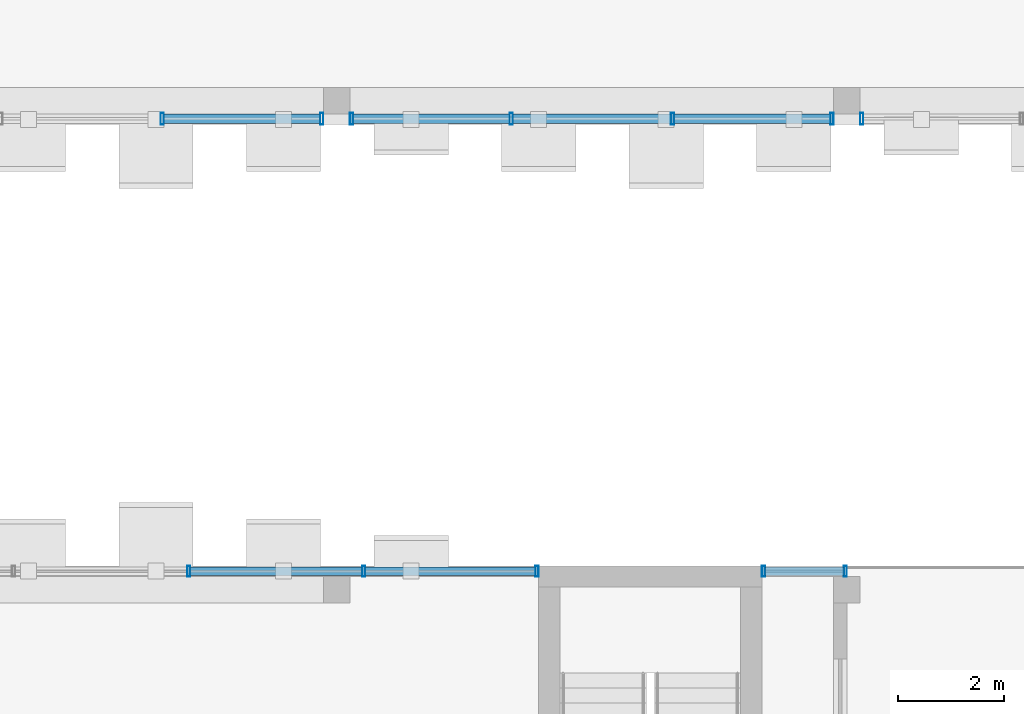
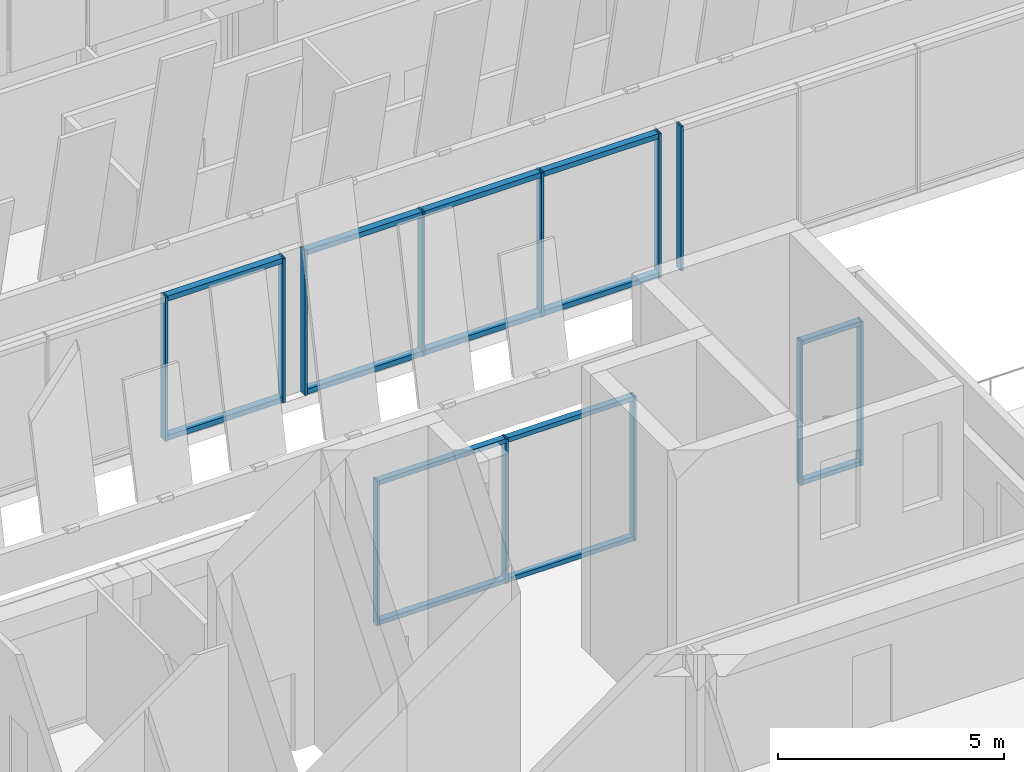
# One storey, part 8 of 26: 26 members, 5 elements without a shape of their own.
"""IFC4 building model written with IfcOpenShell, lengths in metres."""

from ifc_helpers import new_model, si_unit, direction, frame, origin, origin_2d, place, context, subcontext, project, spatial, hollow_rectangle, extrude, material, layer, layer_set, material_profile, profile_set, type_object, element, aggregate, save


model = new_model("IFC4")

# Units and contexts
model_context = context("Model", 3, precision=1e-05, world=origin(), true_north=direction((0.0, 1.0)))
body_context = subcontext(model_context, "Body", "Model", "MODEL_VIEW")
ifc_project = project(units=[si_unit("LENGTHUNIT", "METRE"), si_unit("AREAUNIT", "SQUARE_METRE"), si_unit("VOLUMEUNIT", "CUBIC_METRE"), si_unit("PLANEANGLEUNIT", "RADIAN"), si_unit("MASSUNIT", "GRAM", prefix="KILO")], contexts=[model_context])

# Site, building, storey
site_placement = place(None, origin())
site = spatial("IfcSite", under=ifc_project, at=site_placement, CompositionType="ELEMENT")
building_placement = place(site_placement, origin())
building = spatial("IfcBuilding", under=site, at=building_placement, Name="Nzadi Deep Aquarium and Research Tower", CompositionType="ELEMENT")
storey_placement = place(building_placement, frame((0.0, 0.0, 78.10009765625)))
storey = spatial("IfcBuildingStorey", under=building, at=storey_placement, Name="L16", CompositionType="ELEMENT", Elevation=78.10009765625)

# Curtain wall, members
ifc_material_1 = material(Name="Aluminium unitised frame", Category="aluminium")
ifc_layer_1 = layer(ifc_material_1, 0.199951171875)
ifc_layer_set_1 = layer_set([ifc_layer_1], Name="Aluminium unitised frame")
curtain_wall_type_1 = type_object("IfcCurtainWallType", Name="Curtain wall Unitised 200", PredefinedType="NOTDEFINED", material=ifc_layer_set_1)
curtain_wall_1_placement = place(storey_placement, origin())
curtain_wall_1 = element("IfcCurtainWall", 1, at=curtain_wall_1_placement, inside=storey, type_object=curtain_wall_type_1, Name="Unitised curtain wall blade A north L16", PredefinedType="NOTDEFINED")
ifc_material_2 = material(Name="Aluminium unitised frame", Category="aluminium")
ifc_material_profile_1 = material_profile(ifc_material_2, hollow_rectangle(XDim=0.199951171875, YDim=0.06005859375, WallThickness=0.0048828125, at=origin_2d()))
ifc_profile_set_1 = profile_set([ifc_material_profile_1], Name="Aluminium unitised frame")
member_type_1 = type_object("IfcMemberType", Name="Mullion 60x200 Unitised", PredefinedType="MULLION", material=ifc_profile_set_1)
member_1_placement = place(storey_placement, frame((16.414306640625, 18.75, 0.0), z_axis=(0.0, 0.0, 1.0), x_axis=(0.0, 1.0, 0.0)))
member_1 = element("IfcMember", 2, at=member_1_placement, type_object=member_type_1, Name="CW076 mullion 6", PredefinedType="MULLION", context=body_context, shape_type="SweptSolid", body=[
    extrude(hollow_rectangle(XDim=0.199951171875, YDim=0.06005859375, WallThickness=0.0048828125, at=origin_2d()), origin(), (0.0, 0.0, 1.0), 3.89990234375),
])
member_2_placement = place(storey_placement, frame((19.70703125, 18.75, 0.0), z_axis=(0.0, 0.0, 1.0), x_axis=(0.0, 1.0, 0.0)))
member_2 = element("IfcMember", 3, at=member_2_placement, type_object=member_type_1, Name="CW076 mullion 7", PredefinedType="MULLION", context=body_context, shape_type="SweptSolid", body=[
    extrude(hollow_rectangle(XDim=0.199951171875, YDim=0.06005859375, WallThickness=0.0048828125, at=origin_2d()), origin(), (0.0, 0.0, 1.0), 3.89990234375),
])
member_3_placement = place(storey_placement, frame((22.969970703125, 18.75, 0.0), z_axis=(0.0, 0.0, 1.0), x_axis=(0.0, 1.0, 0.0)))
member_3 = element("IfcMember", 4, at=member_3_placement, type_object=member_type_1, Name="CW076 mullion 8", PredefinedType="MULLION", context=body_context, shape_type="SweptSolid", body=[
    extrude(hollow_rectangle(XDim=0.199951171875, YDim=0.06005859375, WallThickness=0.0048828125, at=origin_2d()), origin(), (0.0, 0.0, 1.0), 3.89990234375),
])

curtain_wall_2_placement = place(storey_placement, origin())
curtain_wall_2 = element("IfcCurtainWall", 5, at=curtain_wall_2_placement, inside=storey, type_object=curtain_wall_type_1, Name="Unitised curtain wall blade A north L16", PredefinedType="NOTDEFINED")
member_4_placement = place(storey_placement, frame((27.22998046875, 18.75, 0.0), z_axis=(0.0, 0.0, 1.0), x_axis=(0.0, 1.0, 0.0)))
member_4 = element("IfcMember", 6, at=member_4_placement, type_object=member_type_1, Name="CW077 mullion 1", PredefinedType="MULLION", context=body_context, shape_type="SweptSolid", body=[
    extrude(hollow_rectangle(XDim=0.199951171875, YDim=0.06005859375, WallThickness=0.0048828125, at=origin_2d()), origin(), (0.0, 0.0, 1.0), 3.89990234375),
])
member_5_placement = place(storey_placement, frame((28.77001953125, 18.75, 0.0), z_axis=(0.0, 0.0, 1.0), x_axis=(0.0, 1.0, 0.0)))
member_5 = element("IfcMember", 7, at=member_5_placement, type_object=member_type_1, Name="CW077 mullion 2", PredefinedType="MULLION", context=body_context, shape_type="SweptSolid", body=[
    extrude(hollow_rectangle(XDim=0.199951171875, YDim=0.06005859375, WallThickness=0.0048828125, at=origin_2d()), origin(), (0.0, 0.0, 1.0), 3.89990234375),
])

ifc_material_3 = material(Name="Aluminium unitised frame deep", Category="aluminium")
ifc_layer_2 = layer(ifc_material_3, 0.22509765625)
ifc_layer_set_2 = layer_set([ifc_layer_2], Name="Aluminium unitised frame deep")
curtain_wall_type_2 = type_object("IfcCurtainWallType", Name="Curtain wall Unitised Deep 225", PredefinedType="NOTDEFINED", material=ifc_layer_set_2)
curtain_wall_3_placement = place(storey_placement, origin())
curtain_wall_3 = element("IfcCurtainWall", 8, at=curtain_wall_3_placement, inside=storey, type_object=curtain_wall_type_2, Name="Unitised curtain wall blade B south L16", PredefinedType="NOTDEFINED")
ifc_material_4 = material(Name="Aluminium unitised frame deep", Category="aluminium")
ifc_material_profile_2 = material_profile(ifc_material_4, hollow_rectangle(XDim=0.22509765625, YDim=0.06005859375, WallThickness=0.0048828125, at=origin_2d()))
ifc_profile_set_2 = profile_set([ifc_material_profile_2], Name="Aluminium unitised frame deep")
member_type_2 = type_object("IfcMemberType", Name="Mullion 60x225 Unitised Deep", PredefinedType="MULLION", material=ifc_profile_set_2)
member_6_placement = place(storey_placement, frame((15.916748046875, 27.262451171875, 0.0), z_axis=(0.0, 0.0, 1.0), x_axis=(0.0, 1.0, 0.0)))
member_6 = element("IfcMember", 9, at=member_6_placement, type_object=member_type_2, Name="CW193 mullion 3", PredefinedType="MULLION", context=body_context, shape_type="SweptSolid", body=[
    extrude(hollow_rectangle(XDim=0.22509765625, YDim=0.06005859375, WallThickness=0.0048828125, at=origin_2d()), origin(), (0.0, 0.0, 1.0), 3.89990234375),
])
member_7_placement = place(storey_placement, frame((18.919921875, 27.262451171875, 0.0), z_axis=(0.0, 0.0, 1.0), x_axis=(0.0, 1.0, 0.0)))
member_7 = element("IfcMember", 10, at=member_7_placement, type_object=member_type_2, Name="CW193 mullion 4", PredefinedType="MULLION", context=body_context, shape_type="SweptSolid", body=[
    extrude(hollow_rectangle(XDim=0.22509765625, YDim=0.06005859375, WallThickness=0.0048828125, at=origin_2d()), origin(), (0.0, 0.0, 1.0), 3.89990234375),
])

curtain_wall_4_placement = place(storey_placement, origin())
curtain_wall_4 = element("IfcCurtainWall", 11, at=curtain_wall_4_placement, inside=storey, type_object=curtain_wall_type_2, Name="Unitised curtain wall blade B south L16", PredefinedType="NOTDEFINED")
member_8_placement = place(storey_placement, frame((19.47998046875, 27.262451171875, 0.0), z_axis=(0.0, 0.0, 1.0), x_axis=(0.0, 1.0, 0.0)))
member_8 = element("IfcMember", 12, at=member_8_placement, type_object=member_type_2, Name="CW194 mullion 1", PredefinedType="MULLION", context=body_context, shape_type="SweptSolid", body=[
    extrude(hollow_rectangle(XDim=0.22509765625, YDim=0.06005859375, WallThickness=0.0048828125, at=origin_2d()), origin(), (0.0, 0.0, 1.0), 3.89990234375),
])
member_9_placement = place(storey_placement, frame((22.4833984375, 27.262451171875, 0.0), z_axis=(0.0, 0.0, 1.0), x_axis=(0.0, 1.0, 0.0)))
member_9 = element("IfcMember", 13, at=member_9_placement, type_object=member_type_2, Name="CW194 mullion 2", PredefinedType="MULLION", context=body_context, shape_type="SweptSolid", body=[
    extrude(hollow_rectangle(XDim=0.22509765625, YDim=0.06005859375, WallThickness=0.0048828125, at=origin_2d()), origin(), (0.0, 0.0, 1.0), 3.89990234375),
])
member_10_placement = place(storey_placement, frame((25.5166015625, 27.262451171875, 0.0), z_axis=(0.0, 0.0, 1.0), x_axis=(0.0, 1.0, 0.0)))
member_10 = element("IfcMember", 14, at=member_10_placement, type_object=member_type_2, Name="CW194 mullion 3", PredefinedType="MULLION", context=body_context, shape_type="SweptSolid", body=[
    extrude(hollow_rectangle(XDim=0.22509765625, YDim=0.06005859375, WallThickness=0.0048828125, at=origin_2d()), origin(), (0.0, 0.0, 1.0), 3.89990234375),
])
member_11_placement = place(storey_placement, frame((28.52001953125, 27.262451171875, 0.0), z_axis=(0.0, 0.0, 1.0), x_axis=(0.0, 1.0, 0.0)))
member_11 = element("IfcMember", 15, at=member_11_placement, type_object=member_type_2, Name="CW194 mullion 4", PredefinedType="MULLION", context=body_context, shape_type="SweptSolid", body=[
    extrude(hollow_rectangle(XDim=0.22509765625, YDim=0.06005859375, WallThickness=0.0048828125, at=origin_2d()), origin(), (0.0, 0.0, 1.0), 3.89990234375),
])

# Curtain wall, member
curtain_wall_5_placement = place(storey_placement, origin())
curtain_wall_5 = element("IfcCurtainWall", 16, at=curtain_wall_5_placement, inside=storey, type_object=curtain_wall_type_2, Name="Unitised curtain wall blade B south L16", PredefinedType="NOTDEFINED")
member_12_placement = place(storey_placement, frame((29.080078125, 27.262451171875, 0.0), z_axis=(0.0, 0.0, 1.0), x_axis=(0.0, 1.0, 0.0)))
member_12 = element("IfcMember", 17, at=member_12_placement, type_object=member_type_2, Name="CW195 mullion 1", PredefinedType="MULLION", context=body_context, shape_type="SweptSolid", body=[
    extrude(hollow_rectangle(XDim=0.22509765625, YDim=0.06005859375, WallThickness=0.0048828125, at=origin_2d()), origin(), (0.0, 0.0, 1.0), 3.89990234375),
])
aggregate(curtain_wall_5, [member_12])

# Member
ifc_material_5 = material(Name="Aluminium unitised frame", Category="aluminium")
ifc_material_profile_3 = material_profile(ifc_material_5, hollow_rectangle(XDim=0.159912109375, YDim=0.1201171875, WallThickness=0.0048828125, at=origin_2d()))
ifc_profile_set_3 = profile_set([ifc_material_profile_3], Name="Aluminium unitised frame")
member_type_3 = type_object("IfcMemberType", Name="Transom 120x160 Unitised", PredefinedType="MULLION", material=ifc_profile_set_3)
member_13_placement = place(storey_placement, frame((16.4443359375, 18.75, 0.059814453125), z_axis=(1.0, 0.0, 0.0), x_axis=(0.0, 1.0, 0.0)))
member_13 = element("IfcMember", 18, at=member_13_placement, type_object=member_type_3, Name="CW076 transom 6.1", PredefinedType="MULLION", context=body_context, shape_type="SweptSolid", body=[
    extrude(hollow_rectangle(XDim=0.159912109375, YDim=0.1201171875, WallThickness=0.0048828125, at=origin_2d()), origin(), (0.0, 0.0, 1.0), 3.23291015625),
])

member_14_placement = place(storey_placement, frame((16.4443359375, 18.75, 3.83984375), z_axis=(1.0, 0.0, 0.0), x_axis=(0.0, 1.0, 0.0)))
member_14 = element("IfcMember", 19, at=member_14_placement, type_object=member_type_3, Name="CW076 transom 6.2", PredefinedType="MULLION", context=body_context, shape_type="SweptSolid", body=[
    extrude(hollow_rectangle(XDim=0.159912109375, YDim=0.1201171875, WallThickness=0.0048828125, at=origin_2d()), origin(), (0.0, 0.0, 1.0), 3.23291015625),
])

member_15_placement = place(storey_placement, frame((19.737060546875, 18.75, 0.059814453125), z_axis=(1.0, 0.0, 0.0), x_axis=(0.0, 1.0, 0.0)))
member_15 = element("IfcMember", 20, at=member_15_placement, type_object=member_type_3, Name="CW076 transom 7.1", PredefinedType="MULLION", context=body_context, shape_type="SweptSolid", body=[
    extrude(hollow_rectangle(XDim=0.159912109375, YDim=0.1201171875, WallThickness=0.0048828125, at=origin_2d()), origin(), (0.0, 0.0, 1.0), 3.202880859375),
])

member_16_placement = place(storey_placement, frame((19.737060546875, 18.75, 3.83984375), z_axis=(1.0, 0.0, 0.0), x_axis=(0.0, 1.0, 0.0)))
member_16 = element("IfcMember", 21, at=member_16_placement, type_object=member_type_3, Name="CW076 transom 7.2", PredefinedType="MULLION", context=body_context, shape_type="SweptSolid", body=[
    extrude(hollow_rectangle(XDim=0.159912109375, YDim=0.1201171875, WallThickness=0.0048828125, at=origin_2d()), origin(), (0.0, 0.0, 1.0), 3.202880859375),
])

aggregate(curtain_wall_1, [member_1, member_2, member_3, member_13, member_14, member_15, member_16])

member_17_placement = place(storey_placement, frame((27.260009765625, 18.75, 0.059814453125), z_axis=(1.0, 0.0, 0.0), x_axis=(0.0, 1.0, 0.0)))
member_17 = element("IfcMember", 22, at=member_17_placement, type_object=member_type_3, Name="CW077 transom 1.1", PredefinedType="MULLION", context=body_context, shape_type="SweptSolid", body=[
    extrude(hollow_rectangle(XDim=0.159912109375, YDim=0.1201171875, WallThickness=0.0048828125, at=origin_2d()), origin(), (0.0, 0.0, 1.0), 1.47998046875),
])

member_18_placement = place(storey_placement, frame((27.260009765625, 18.75, 3.83984375), z_axis=(1.0, 0.0, 0.0), x_axis=(0.0, 1.0, 0.0)))
member_18 = element("IfcMember", 23, at=member_18_placement, type_object=member_type_3, Name="CW077 transom 1.2", PredefinedType="MULLION", context=body_context, shape_type="SweptSolid", body=[
    extrude(hollow_rectangle(XDim=0.159912109375, YDim=0.1201171875, WallThickness=0.0048828125, at=origin_2d()), origin(), (0.0, 0.0, 1.0), 1.47998046875),
])

aggregate(curtain_wall_2, [member_4, member_5, member_17, member_18])

ifc_material_6 = material(Name="Aluminium unitised frame deep", Category="aluminium")
ifc_material_profile_4 = material_profile(ifc_material_6, hollow_rectangle(XDim=0.179931640625, YDim=0.139892578125, WallThickness=0.0048828125, at=origin_2d()))
ifc_profile_set_4 = profile_set([ifc_material_profile_4], Name="Aluminium unitised frame deep")
member_type_4 = type_object("IfcMemberType", Name="Transom 140x180 Unitised Deep", PredefinedType="MULLION", material=ifc_profile_set_4)
member_19_placement = place(storey_placement, frame((15.94677734375, 27.262451171875, 0.06982421875), z_axis=(1.0, 0.0, 0.0), x_axis=(0.0, 1.0, 0.0)))
member_19 = element("IfcMember", 24, at=member_19_placement, type_object=member_type_4, Name="CW193 transom 3.1", PredefinedType="MULLION", context=body_context, shape_type="SweptSolid", body=[
    extrude(hollow_rectangle(XDim=0.179931640625, YDim=0.139892578125, WallThickness=0.0048828125, at=origin_2d()), origin(), (0.0, 0.0, 1.0), 2.943115234375),
])

member_20_placement = place(storey_placement, frame((15.94677734375, 27.262451171875, 3.829833984375), z_axis=(1.0, 0.0, 0.0), x_axis=(0.0, 1.0, 0.0)))
member_20 = element("IfcMember", 25, at=member_20_placement, type_object=member_type_4, Name="CW193 transom 3.2", PredefinedType="MULLION", context=body_context, shape_type="SweptSolid", body=[
    extrude(hollow_rectangle(XDim=0.179931640625, YDim=0.139892578125, WallThickness=0.0048828125, at=origin_2d()), origin(), (0.0, 0.0, 1.0), 2.943115234375),
])

aggregate(curtain_wall_3, [member_6, member_7, member_19, member_20])

member_21_placement = place(storey_placement, frame((19.510009765625, 27.262451171875, 0.06982421875), z_axis=(1.0, 0.0, 0.0), x_axis=(0.0, 1.0, 0.0)))
member_21 = element("IfcMember", 26, at=member_21_placement, type_object=member_type_4, Name="CW194 transom 1.1", PredefinedType="MULLION", context=body_context, shape_type="SweptSolid", body=[
    extrude(hollow_rectangle(XDim=0.179931640625, YDim=0.139892578125, WallThickness=0.0048828125, at=origin_2d()), origin(), (0.0, 0.0, 1.0), 2.943359375),
])

member_22_placement = place(storey_placement, frame((19.510009765625, 27.262451171875, 3.829833984375), z_axis=(1.0, 0.0, 0.0), x_axis=(0.0, 1.0, 0.0)))
member_22 = element("IfcMember", 27, at=member_22_placement, type_object=member_type_4, Name="CW194 transom 1.2", PredefinedType="MULLION", context=body_context, shape_type="SweptSolid", body=[
    extrude(hollow_rectangle(XDim=0.179931640625, YDim=0.139892578125, WallThickness=0.0048828125, at=origin_2d()), origin(), (0.0, 0.0, 1.0), 2.943359375),
])

member_23_placement = place(storey_placement, frame((22.513427734375, 27.262451171875, 0.06982421875), z_axis=(1.0, 0.0, 0.0), x_axis=(0.0, 1.0, 0.0)))
member_23 = element("IfcMember", 28, at=member_23_placement, type_object=member_type_4, Name="CW194 transom 2.1", PredefinedType="MULLION", context=body_context, shape_type="SweptSolid", body=[
    extrude(hollow_rectangle(XDim=0.179931640625, YDim=0.139892578125, WallThickness=0.0048828125, at=origin_2d()), origin(), (0.0, 0.0, 1.0), 2.97314453125),
])

member_24_placement = place(storey_placement, frame((22.513427734375, 27.262451171875, 3.829833984375), z_axis=(1.0, 0.0, 0.0), x_axis=(0.0, 1.0, 0.0)))
member_24 = element("IfcMember", 29, at=member_24_placement, type_object=member_type_4, Name="CW194 transom 2.2", PredefinedType="MULLION", context=body_context, shape_type="SweptSolid", body=[
    extrude(hollow_rectangle(XDim=0.179931640625, YDim=0.139892578125, WallThickness=0.0048828125, at=origin_2d()), origin(), (0.0, 0.0, 1.0), 2.97314453125),
])

member_25_placement = place(storey_placement, frame((25.546630859375, 27.262451171875, 0.06982421875), z_axis=(1.0, 0.0, 0.0), x_axis=(0.0, 1.0, 0.0)))
member_25 = element("IfcMember", 30, at=member_25_placement, type_object=member_type_4, Name="CW194 transom 3.1", PredefinedType="MULLION", context=body_context, shape_type="SweptSolid", body=[
    extrude(hollow_rectangle(XDim=0.179931640625, YDim=0.139892578125, WallThickness=0.0048828125, at=origin_2d()), origin(), (0.0, 0.0, 1.0), 2.943359375),
])

member_26_placement = place(storey_placement, frame((25.546630859375, 27.262451171875, 3.829833984375), z_axis=(1.0, 0.0, 0.0), x_axis=(0.0, 1.0, 0.0)))
member_26 = element("IfcMember", 31, at=member_26_placement, type_object=member_type_4, Name="CW194 transom 3.2", PredefinedType="MULLION", context=body_context, shape_type="SweptSolid", body=[
    extrude(hollow_rectangle(XDim=0.179931640625, YDim=0.139892578125, WallThickness=0.0048828125, at=origin_2d()), origin(), (0.0, 0.0, 1.0), 2.943359375),
])

aggregate(curtain_wall_4, [member_8, member_9, member_10, member_11, member_21, member_22, member_23, member_24, member_25, member_26])

save(model, "model.ifc")
